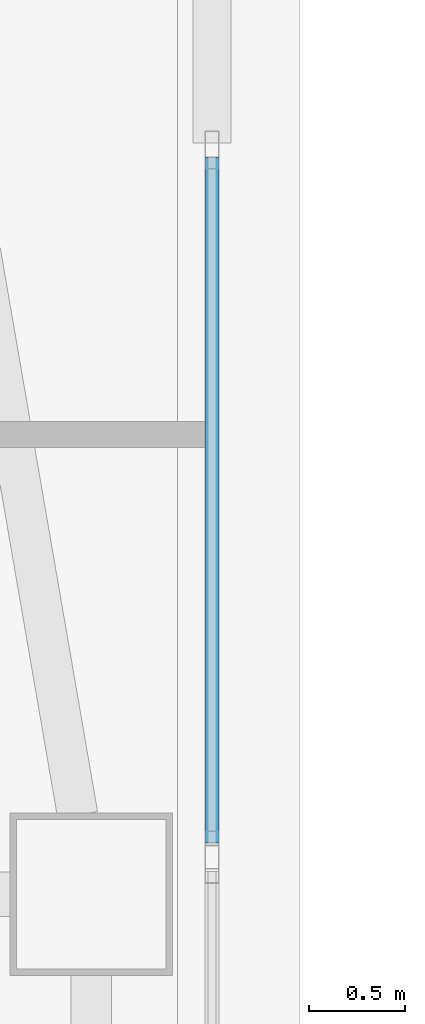
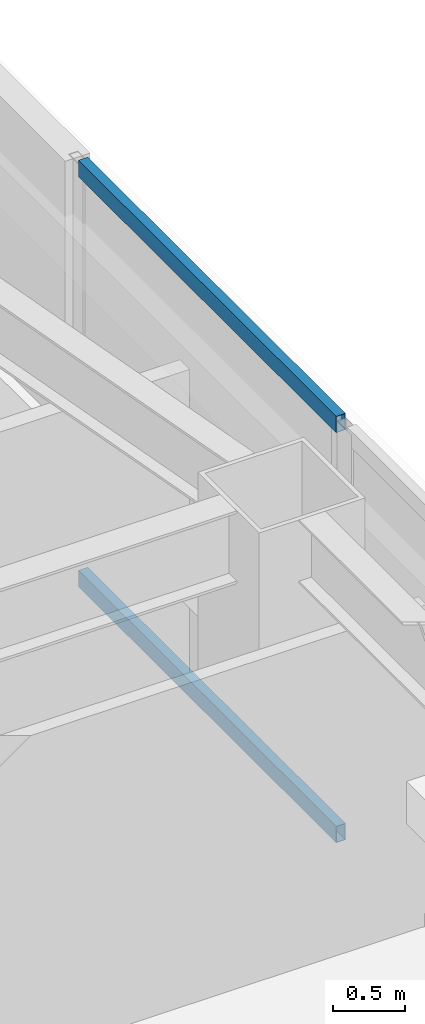
# One storey, part 12 of 46: 2 members, 1 element without a shape of its own.
"""IFC4 building model written with IfcOpenShell, lengths in metres."""

from ifc_helpers import new_model, si_unit, direction, frame, origin, origin_2d, place, context, subcontext, project, spatial, hollow_rectangle, extrude, material, material_profile, profile_set, type_object, element, aggregate, save


model = new_model("IFC4")

# Units and contexts
model_context = context("Model", 3, precision=1e-05, world=origin(), true_north=direction((0.0, 1.0)))
body_context = subcontext(model_context, "Body", "Model", "MODEL_VIEW")
ifc_project = project(units=[si_unit("LENGTHUNIT", "METRE"), si_unit("AREAUNIT", "SQUARE_METRE"), si_unit("VOLUMEUNIT", "CUBIC_METRE"), si_unit("PLANEANGLEUNIT", "RADIAN"), si_unit("MASSUNIT", "GRAM", prefix="KILO")], contexts=[model_context])

# Site, building, storey
site_placement = place(None, origin())
site = spatial("IfcSite", under=ifc_project, at=site_placement, CompositionType="ELEMENT")
building_placement = place(site_placement, origin())
building = spatial("IfcBuilding", under=site, at=building_placement, Name="Tashvorn Skyway Center", CompositionType="ELEMENT")
storey_placement = place(building_placement, frame((0.0, 0.0, 139.25)))
storey = spatial("IfcBuildingStorey", under=building, at=storey_placement, Name="L37", CompositionType="ELEMENT", Elevation=139.25)

# Curtain wall, members
ifc_material = material(Name="Thermally broken bronze-anodized aluminium 6063-T6", Category="aluminium")
curtain_wall_type = type_object("IfcCurtainWallType", Name="CW-CW-Z3", PredefinedType="NOTDEFINED", material=ifc_material)
curtain_wall_placement = place(storey_placement, origin())
curtain_wall = element("IfcCurtainWall", 1, at=curtain_wall_placement, inside=storey, type_object=curtain_wall_type, Name="Tower 1 L37 East Unitised Curtain Wall Glazing Group 2", PredefinedType="NOTDEFINED")
ifc_material_profile = material_profile(ifc_material, hollow_rectangle(XDim=0.074951171875, YDim=0.139892578125, WallThickness=0.004150390625, at=origin_2d()), Name="ALU-TRAN-75x140")
ifc_profile_set = profile_set([ifc_material_profile], Name="Thermally broken bronze-anodized aluminium 6063-T6")
member_type = type_object("IfcMemberType", Name="CWT-CW-Z3", PredefinedType="USERDEFINED", material=ifc_profile_set)
member_1_placement = place(storey_placement, frame((61.280029296875, 41.247314453125, 0.03759765625), z_axis=(0.0, -1.0, 0.0), x_axis=(1.0, 0.0, 0.0)))
member_1 = element("IfcMember", 2, at=member_1_placement, type_object=member_type, Name="CW-Z3 transom 1.1", ObjectType="TRANSOM", PredefinedType="USERDEFINED", context=body_context, shape_type="SweptSolid", body=[
    extrude(hollow_rectangle(XDim=0.074951171875, YDim=0.139892578125, WallThickness=0.004150390625, at=origin_2d()), origin(), (0.0, 0.0, 1.0), 3.5791015625),
])
member_2_placement = place(storey_placement, frame((61.280029296875, 41.247314453125, 3.512451171875), z_axis=(0.0, -1.0, 0.0), x_axis=(1.0, 0.0, 0.0)))
member_2 = element("IfcMember", 3, at=member_2_placement, type_object=member_type, Name="CW-Z3 transom 1.2", ObjectType="TRANSOM", PredefinedType="USERDEFINED", context=body_context, shape_type="SweptSolid", body=[
    extrude(hollow_rectangle(XDim=0.074951171875, YDim=0.139892578125, WallThickness=0.004150390625, at=origin_2d()), origin(), (0.0, 0.0, 1.0), 3.5791015625),
])
aggregate(curtain_wall, [member_1, member_2])

save(model, "model.ifc")
